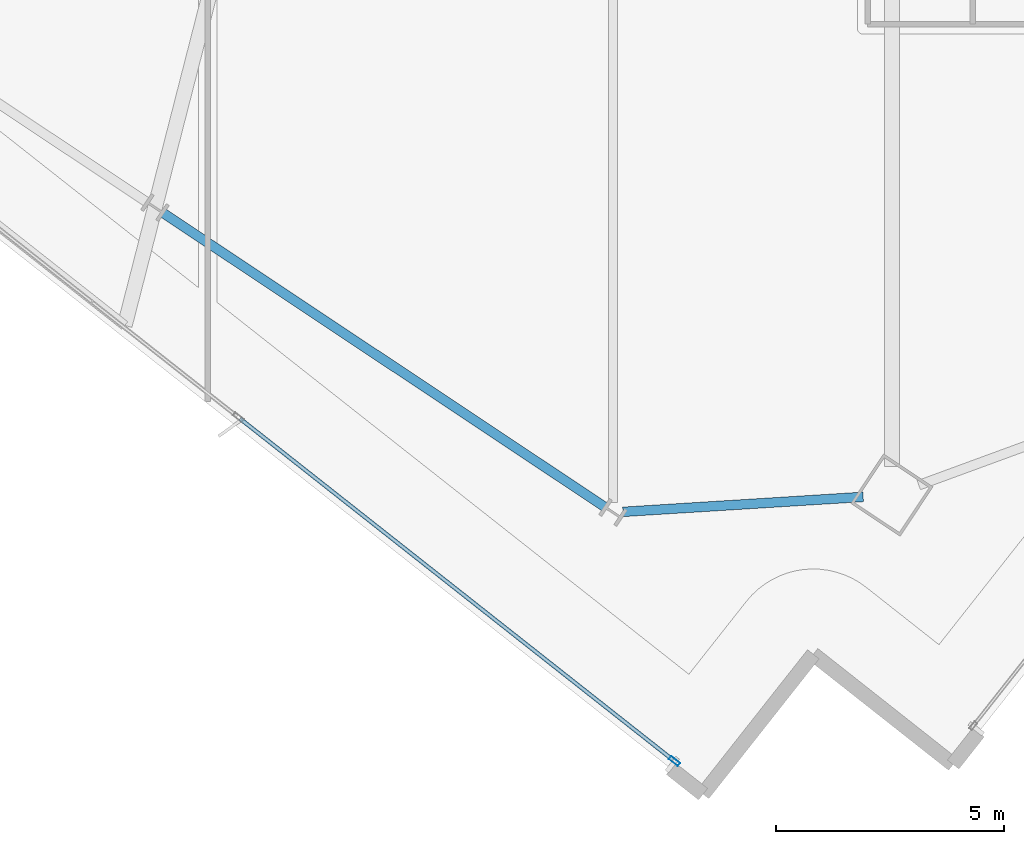
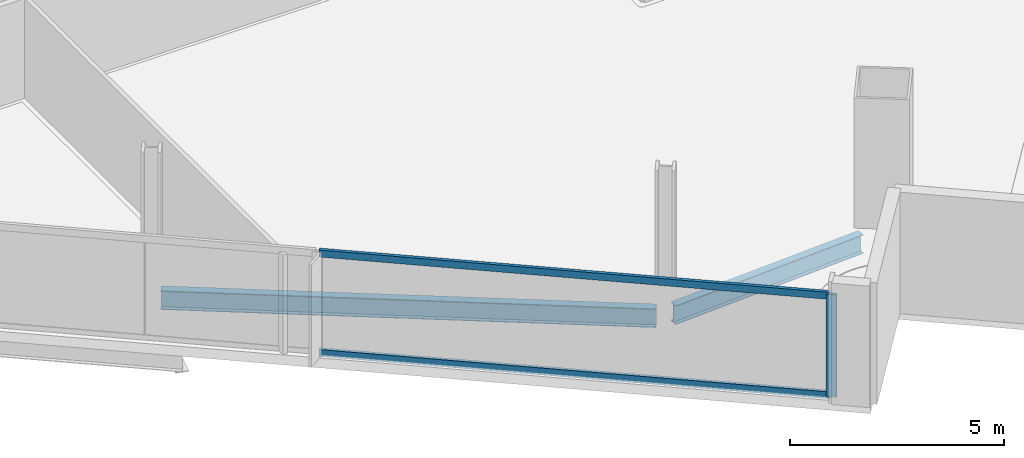
# One storey, part 3 of 28: 3 members, 2 beams, 1 element without a shape of its own.
"""IFC4 building model written with IfcOpenShell, lengths in metres."""

from ifc_helpers import new_model, si_unit, direction, frame, origin, origin_2d, place, context, subcontext, project, spatial, hollow_rectangle, i_section, extrude, material, material_profile, profile_set, type_object, element, aggregate, save


model = new_model("IFC4")

# Units and contexts
model_context = context("Model", 3, precision=1e-05, world=origin(), true_north=direction((0.0, 1.0)))
body_context = subcontext(model_context, "Body", "Model", "MODEL_VIEW")
ifc_project = project(units=[si_unit("LENGTHUNIT", "METRE"), si_unit("AREAUNIT", "SQUARE_METRE"), si_unit("VOLUMEUNIT", "CUBIC_METRE"), si_unit("PLANEANGLEUNIT", "RADIAN"), si_unit("MASSUNIT", "GRAM", prefix="KILO")], contexts=[model_context])

# Site, building, storey
site_placement = place(None, origin())
site = spatial("IfcSite", under=ifc_project, at=site_placement, CompositionType="ELEMENT")
building_placement = place(site_placement, origin())
building = spatial("IfcBuilding", under=site, at=building_placement, Name="Haldenkirk Collegiate Tower", CompositionType="ELEMENT")
storey_placement = place(building_placement, frame((0.0, 0.0, 202.199951171875)))
storey = spatial("IfcBuildingStorey", under=building, at=storey_placement, Name="L50", CompositionType="ELEMENT", Elevation=202.199951171875)

# Beams
ifc_material_1 = material(Name="Steel ASTM A992 Grade 50", Category="steel")
ifc_material_profile_1 = material_profile(ifc_material_1, i_section(OverallWidth=0.2099609375, OverallDepth=0.537109375, WebThickness=0.010986328125, FlangeThickness=0.017333984375, at=origin_2d()), Name="W21X68")
ifc_profile_set_1 = profile_set([ifc_material_profile_1], Name="Steel ASTM A992 Grade 50")
beam_type = type_object("IfcBeamType", Name="BM-SPANDREL-W21X68", PredefinedType="SPANDREL", material=ifc_profile_set_1)
beam_1_placement = place(storey_placement, frame((24.52392578125, 7.510986328125, -0.54833984375), z_axis=(0.832441238083, -0.554113332395, 0.0), x_axis=(0.554113332395, 0.832441238083, 0.0)))
element("IfcBeam", 1, at=beam_1_placement, inside=storey, type_object=beam_type, Name="L50 perimeter spandrel beam 15", PredefinedType="SPANDREL", context=body_context, shape_type="SweptSolid", body=[
    extrude(i_section(OverallWidth=0.2099609375, OverallDepth=0.537109375, WebThickness=0.010986328125, FlangeThickness=0.017333984375, at=origin_2d()), origin(), (0.0, 0.0, 1.0), 11.618896484375),
])
beam_2_placement = place(storey_placement, frame((34.59326171875, 0.966064453125, -0.54833984375), z_axis=(0.99806607268, 0.062162002577, 0.0), x_axis=(-0.062162002577, 0.99806607268, 0.0)))
element("IfcBeam", 2, at=beam_2_placement, inside=storey, type_object=beam_type, Name="L50 perimeter spandrel beam 16", PredefinedType="SPANDREL", context=body_context, shape_type="SweptSolid", body=[
    extrude(i_section(OverallWidth=0.2099609375, OverallDepth=0.537109375, WebThickness=0.010986328125, FlangeThickness=0.017333984375, at=origin_2d()), origin(), (0.0, 0.0, 1.0), 5.270751953125),
])

# Curtain wall, members
ifc_material_2 = material(Name="Anodised architectural bronze aluminium", Category="aluminium")
curtain_wall_type = type_object("IfcCurtainWallType", Name="CW-SYS1B-CONVEX-HI", PredefinedType="USERDEFINED", material=ifc_material_2)
curtain_wall_placement = place(storey_placement, origin())
curtain_wall = element("IfcCurtainWall", 3, at=curtain_wall_placement, inside=storey, type_object=curtain_wall_type, Name="L50 Upper tower high-wind convex bronze unitised curtain wall", ObjectType="UNITISED CURTAIN WALL", PredefinedType="USERDEFINED")
ifc_material_profile_2 = material_profile(ifc_material_2, hollow_rectangle(XDim=0.0849609375, YDim=0.25, WallThickness=0.0048828125, at=origin_2d()), Name="CW-MUL-1B")
ifc_profile_set_2 = profile_set([ifc_material_profile_2], Name="Anodised architectural bronze aluminium")
member_type_1 = type_object("IfcMemberType", Name="CW-MUL-1B", PredefinedType="MULLION", material=ifc_profile_set_2)
member_1_placement = place(storey_placement, frame((35.719482421875, -4.492431640625, 0.0), z_axis=(0.0, 0.0, 1.0), x_axis=(-0.619094623814, -0.785316399144, 0.0)))
member_1 = element("IfcMember", 4, at=member_1_placement, type_object=member_type_1, Name="CW-1B mullion 1", PredefinedType="MULLION", context=body_context, shape_type="SweptSolid", body=[
    extrude(hollow_rectangle(XDim=0.0849609375, YDim=0.25, WallThickness=0.0048828125, at=origin_2d()), origin(), (0.0, 0.0, 1.0), 2.927978515625),
])
ifc_material_profile_3 = material_profile(ifc_material_2, hollow_rectangle(XDim=0.0849609375, YDim=0.199951171875, WallThickness=0.0048828125, at=origin_2d()), Name="CW-TRN-1B")
ifc_profile_set_3 = profile_set([ifc_material_profile_3], Name="Anodised architectural bronze aluminium")
member_type_2 = type_object("IfcMemberType", Name="CW-TRN-1B", PredefinedType="USERDEFINED", material=ifc_profile_set_3)
member_2_placement = place(storey_placement, frame((35.68603515625, -4.466064453125, 0.04248046875), z_axis=(-0.785321539815, 0.61908810286, 0.0), x_axis=(-0.61908810286, -0.785321539815, 0.0)))
member_2 = element("IfcMember", 5, at=member_2_placement, type_object=member_type_2, Name="CW-1B transom 1.1", ObjectType="TRANSOM", PredefinedType="USERDEFINED", context=body_context, shape_type="SweptSolid", body=[
    extrude(hollow_rectangle(XDim=0.0849609375, YDim=0.199951171875, WallThickness=0.0048828125, at=origin_2d()), origin(), (0.0, 0.0, 1.0), 12.072509765625),
])
member_3_placement = place(storey_placement, frame((35.68603515625, -4.466064453125, 2.885498046875), z_axis=(-0.785321539815, 0.61908810286, 0.0), x_axis=(-0.61908810286, -0.785321539815, 0.0)))
member_3 = element("IfcMember", 6, at=member_3_placement, type_object=member_type_2, Name="CW-1B transom 1.2", ObjectType="TRANSOM", PredefinedType="USERDEFINED", context=body_context, shape_type="SweptSolid", body=[
    extrude(hollow_rectangle(XDim=0.0849609375, YDim=0.199951171875, WallThickness=0.0048828125, at=origin_2d()), origin(), (0.0, 0.0, 1.0), 12.072509765625),
])
aggregate(curtain_wall, [member_1, member_2, member_3])

save(model, "model.ifc")
